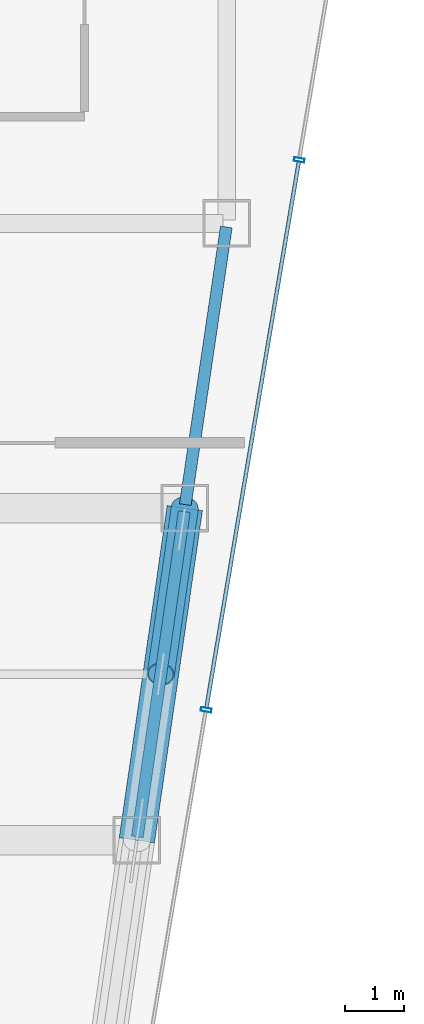
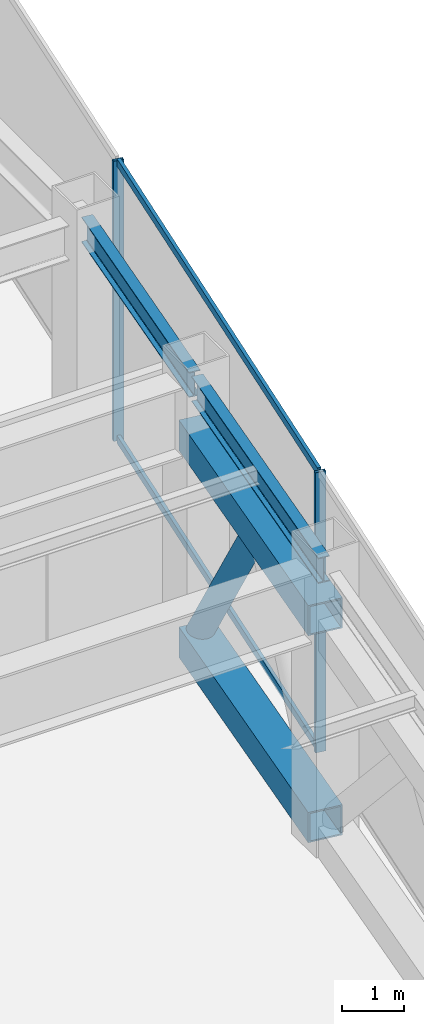
# One storey, part 20 of 34: 7 members, 2 beams, 1 element without a shape of its own.
"""IFC4 building model written with IfcOpenShell, lengths in metres."""

from ifc_helpers import new_model, si_unit, direction, frame, origin, origin_2d, place, context, subcontext, project, spatial, hollow_rectangle, hollow_circle, i_section, extrude, material, material_profile, profile_set, type_object, element, aggregate, save


model = new_model("IFC4")

# Units and contexts
model_context = context("Model", 3, precision=1e-05, world=origin(), true_north=direction((0.0, 1.0)))
body_context = subcontext(model_context, "Body", "Model", "MODEL_VIEW")
ifc_project = project(units=[si_unit("LENGTHUNIT", "METRE"), si_unit("AREAUNIT", "SQUARE_METRE"), si_unit("VOLUMEUNIT", "CUBIC_METRE"), si_unit("PLANEANGLEUNIT", "RADIAN"), si_unit("MASSUNIT", "GRAM", prefix="KILO")], contexts=[model_context])

# Site, building, storey
site_placement = place(None, origin())
site = spatial("IfcSite", under=ifc_project, at=site_placement, CompositionType="ELEMENT")
building_placement = place(site_placement, origin())
building = spatial("IfcBuilding", under=site, at=building_placement, Name="Saevonmaru Cultural Tower", CompositionType="ELEMENT")
storey_placement = place(building_placement, frame((0.0, 0.0, 224.60009765625)))
storey = spatial("IfcBuildingStorey", under=building, at=storey_placement, Name="L52", CompositionType="ELEMENT", Elevation=224.60009765625)

# Beams
ifc_material_1 = material(Name="Steel SM355", Category="steel")
ifc_material_profile_1 = material_profile(ifc_material_1, i_section(OverallWidth=0.199951171875, OverallDepth=0.5, WebThickness=0.010009765625, FlangeThickness=0.01611328125, FilletRadius=0.02001953125, at=origin_2d()), Name="H-500x200x10x16")
ifc_profile_set_1 = profile_set([ifc_material_profile_1], Name="Steel SM355")
beam_type = type_object("IfcBeamType", Name="BM-SP-H500", PredefinedType="SPANDREL", material=ifc_profile_set_1)
beam_1_placement = place(storey_placement, frame((51.691650390625, 32.059326171875, 5.2998046875), z_axis=(0.142964121327, 0.989727871697, 0.0), x_axis=(-0.989727871697, 0.142964121327, 0.0)))
element("IfcBeam", 1, at=beam_1_placement, inside=storey, type_object=beam_type, Name="L52 East Splayed Spandrel 3", PredefinedType="SPANDREL", context=body_context, shape_type="SweptSolid", body=[
    extrude(i_section(OverallWidth=0.199951171875, OverallDepth=0.5, WebThickness=0.010009765625, FlangeThickness=0.01611328125, FilletRadius=0.02001953125, at=origin_2d()), origin(), (0.0, 0.0, 1.0), 5.5380859375),
])
beam_2_placement = place(storey_placement, frame((52.500732421875, 37.659423828125, 5.2998046875), z_axis=(0.145912860028, 0.989297446312, 0.0), x_axis=(-0.989297446312, 0.145912860028, 0.0)))
element("IfcBeam", 2, at=beam_2_placement, inside=storey, type_object=beam_type, Name="L52 East Splayed Spandrel 4", PredefinedType="SPANDREL", context=body_context, shape_type="SweptSolid", body=[
    extrude(i_section(OverallWidth=0.199951171875, OverallDepth=0.5, WebThickness=0.010009765625, FlangeThickness=0.01611328125, FilletRadius=0.02001953125, at=origin_2d()), origin(), (0.0, 0.0, 1.0), 4.731689453125),
])

# Members
ifc_material_2 = material(Name="Steel SM420", Category="steel")
ifc_material_profile_2 = material_profile(ifc_material_2, hollow_circle(Radius=0.228515625, WallThickness=0.02001953125, at=origin_2d()), Name="CHS-457.2x20")
ifc_profile_set_2 = profile_set([ifc_material_profile_2], Name="Steel SM420")
member_type_1 = type_object("IfcMemberType", Name="MB-BBR-CHS457", PredefinedType="BRACE", material=ifc_profile_set_2)
member_1_placement = place(storey_placement, frame((52.491943359375, 37.60009765625, 0.2998046875), z_axis=(-0.081307053391, -0.562091980313, 0.823068507924), x_axis=(0.98969943996, -0.143160813575, 0.0)))
element("IfcMember", 3, at=member_1_placement, inside=storey, type_object=member_type_1, Name="L52 Belt Truss Diagonal BE3-2", PredefinedType="BRACE", context=body_context, shape_type="SweptSolid", body=[
    extrude(hollow_circle(Radius=0.228515625, WallThickness=0.02001953125, at=origin_2d()), origin(), (0.0, 0.0, 1.0), 4.9814453125),
])
ifc_material_profile_3 = material_profile(ifc_material_2, hollow_rectangle(XDim=0.60009765625, YDim=0.60009765625, WallThickness=0.028076171875, at=origin_2d()), Name="BOX-600x600x28")
ifc_profile_set_3 = profile_set([ifc_material_profile_3], Name="Steel SM420")
member_type_2 = type_object("IfcMemberType", Name="MB-BCH-BOX600", PredefinedType="CHORD", material=ifc_profile_set_3)
for number, where, z_axis, x_axis, name in (
    (4, (51.68310546875, 32.0, 0.2998046875), (0.142949491659, 0.989729984811, 0.0), (-0.989729984811, 0.142949491659, 0.0), "L52 Belt Truss Bottom Chord BE3"),
    (5, (51.68310546875, 32.0, 4.39990234375), (0.142949491659, 0.989729984811, 0.0), (-0.989729984811, 0.142949491659, 0.0), "L52 Belt Truss Top Chord BE3"),
):
    element("IfcMember", number, at=place(storey_placement, frame(where, z_axis=z_axis, x_axis=x_axis)), inside=storey, type_object=member_type_2, Name=name, PredefinedType="CHORD", context=body_context, shape_type="SweptSolid", body=[
        extrude(hollow_rectangle(XDim=0.60009765625, YDim=0.60009765625, WallThickness=0.028076171875, at=origin_2d()), origin(), (0.0, 0.0, 1.0), 5.658203125),
    ])

# Curtain wall, members
ifc_material_3 = material(Name="Satin Bronze Anodised Aluminium", Category="aluminium")
curtain_wall_type = type_object("IfcCurtainWallType", Name="CW-TYP-B", PredefinedType="NOTDEFINED", material=ifc_material_3)
curtain_wall_placement = place(storey_placement, origin())
curtain_wall = element("IfcCurtainWall", 6, at=curtain_wall_placement, inside=storey, type_object=curtain_wall_type, Name="L52 Wind-Floor Acoustic Louvre Screen E8", PredefinedType="NOTDEFINED")
ifc_material_profile_4 = material_profile(ifc_material_3, hollow_rectangle(XDim=0.06494140625, YDim=0.179931640625, WallThickness=0.00390625, at=origin_2d()), Name="ALU-MULL-180x65x4")
ifc_profile_set_4 = profile_set([ifc_material_profile_4], Name="Satin Bronze Anodised Aluminium")
member_type_3 = type_object("IfcMemberType", Name="ML-CW-180x65", PredefinedType="MULLION", material=ifc_profile_set_4)
member_2_placement = place(storey_placement, frame((52.85107421875, 34.199951171875, 0.0), z_axis=(0.0, 0.0, 1.0), x_axis=(0.16692169721, 0.985970155228, 0.0)))
member_2 = element("IfcMember", 7, at=member_2_placement, type_object=member_type_3, Name="CW-TW-L52-E8 mullion 3", PredefinedType="MULLION", context=body_context, shape_type="SweptSolid", body=[
    extrude(hollow_rectangle(XDim=0.06494140625, YDim=0.179931640625, WallThickness=0.00390625, at=origin_2d()), origin(), (0.0, 0.0, 1.0), 5.5498046875),
])
member_3_placement = place(storey_placement, frame((54.420654296875, 43.470458984375, 0.0), z_axis=(0.0, 0.0, 1.0), x_axis=(0.16692169721, 0.985970155228, 0.0)))
member_3 = element("IfcMember", 8, at=member_3_placement, type_object=member_type_3, Name="CW-TW-L52-E8 mullion 4", PredefinedType="MULLION", context=body_context, shape_type="SweptSolid", body=[
    extrude(hollow_rectangle(XDim=0.06494140625, YDim=0.179931640625, WallThickness=0.00390625, at=origin_2d()), origin(), (0.0, 0.0, 1.0), 5.5498046875),
])
ifc_material_profile_5 = material_profile(ifc_material_3, hollow_rectangle(XDim=0.06494140625, YDim=0.14990234375, WallThickness=0.00390625, at=origin_2d()), Name="ALU-TRAN-150x65x4")
ifc_profile_set_5 = profile_set([ifc_material_profile_5], Name="Satin Bronze Anodised Aluminium")
member_type_4 = type_object("IfcMemberType", Name="TR-CW-150x65", PredefinedType="USERDEFINED", material=ifc_profile_set_5)
member_4_placement = place(storey_placement, frame((52.8564453125, 34.23193359375, 0.032470703125), z_axis=(0.166916960754, 0.985970957084, 0.0), x_axis=(-0.985970957084, 0.166916960754, 0.0)))
member_4 = element("IfcMember", 9, at=member_4_placement, type_object=member_type_4, Name="CW-TW-L52-E8 transom 3.1", ObjectType="TRANSOM", PredefinedType="USERDEFINED", context=body_context, shape_type="SweptSolid", body=[
    extrude(hollow_rectangle(XDim=0.06494140625, YDim=0.14990234375, WallThickness=0.00390625, at=origin_2d()), origin(), (0.0, 0.0, 1.0), 9.337646484375),
])
member_5_placement = place(storey_placement, frame((52.8564453125, 34.23193359375, 5.517333984375), z_axis=(0.166916960754, 0.985970957084, 0.0), x_axis=(-0.985970957084, 0.166916960754, 0.0)))
member_5 = element("IfcMember", 10, at=member_5_placement, type_object=member_type_4, Name="CW-TW-L52-E8 transom 3.2", ObjectType="TRANSOM", PredefinedType="USERDEFINED", context=body_context, shape_type="SweptSolid", body=[
    extrude(hollow_rectangle(XDim=0.06494140625, YDim=0.14990234375, WallThickness=0.00390625, at=origin_2d()), origin(), (0.0, 0.0, 1.0), 9.337646484375),
])
aggregate(curtain_wall, [member_2, member_3, member_4, member_5])

save(model, "model.ifc")
